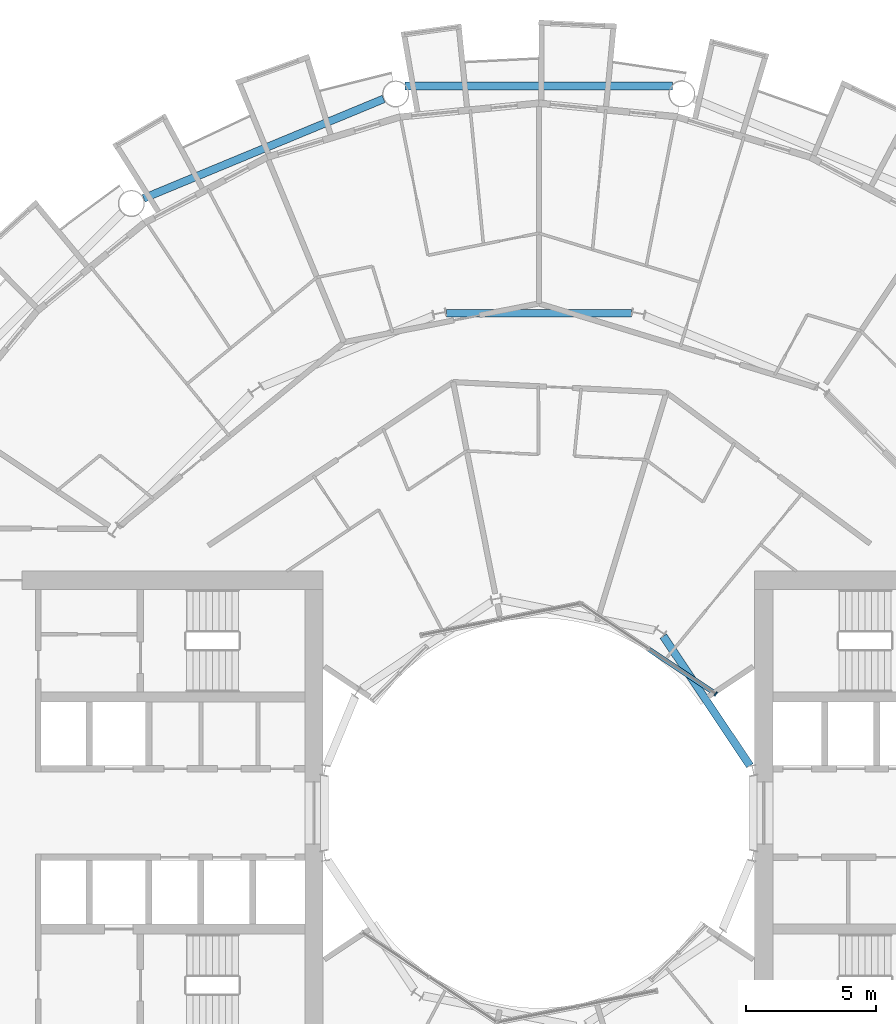
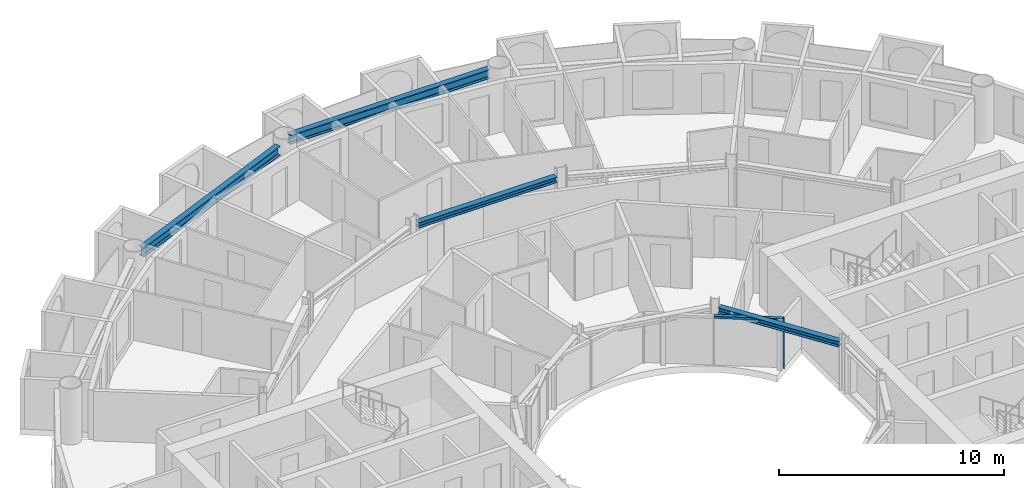
# One storey, part 8 of 26: 4 beams, 2 members, 1 element without a shape of its own.
"""IFC4 building model written with IfcOpenShell, lengths in metres."""

from ifc_helpers import new_model, si_unit, direction, frame, origin, origin_2d, place, context, subcontext, project, spatial, rectangle, i_section, extrude, material, layer, layer_set, material_profile, profile_set, type_object, element, aggregate, save


model = new_model("IFC4")

# Units and contexts
model_context = context("Model", 3, precision=1e-05, world=origin(), true_north=direction((0.0, 1.0)))
body_context = subcontext(model_context, "Body", "Model", "MODEL_VIEW")
ifc_project = project(units=[si_unit("LENGTHUNIT", "METRE"), si_unit("AREAUNIT", "SQUARE_METRE"), si_unit("VOLUMEUNIT", "CUBIC_METRE"), si_unit("PLANEANGLEUNIT", "RADIAN"), si_unit("MASSUNIT", "GRAM", prefix="KILO")], contexts=[model_context])

# Site, building, storey
site_placement = place(None, origin())
site = spatial("IfcSite", under=ifc_project, at=site_placement, CompositionType="ELEMENT")
building_placement = place(site_placement, origin())
building = spatial("IfcBuilding", under=site, at=building_placement, Name="Maasbend Ring Residences", CompositionType="ELEMENT")
storey_placement = place(building_placement, frame((0.0, 0.0, 88.0)))
storey = spatial("IfcBuildingStorey", under=building, at=storey_placement, Name="L25", CompositionType="ELEMENT", Elevation=88.0)

# Curtain wall, members
ifc_material_1 = material(Name="Aluminium and clear glass", Category="aluminium")
ifc_layer = layer(ifc_material_1, 0.179931640625)
ifc_layer_set = layer_set([ifc_layer], Name="CW-W")
curtain_wall_type = type_object("IfcCurtainWallType", Name="CW-W", PredefinedType="NOTDEFINED", material=ifc_layer_set)
curtain_wall_placement = place(storey_placement, origin())
curtain_wall = element("IfcCurtainWall", 1, at=curtain_wall_placement, inside=storey, type_object=curtain_wall_type, Name="Well curtain wall N1", PredefinedType="NOTDEFINED")
ifc_material_2 = material(Name="Aluminium 6063-T6", Category="aluminium")
ifc_material_profile_1 = material_profile(ifc_material_2, rectangle(XDim=0.179931640625, YDim=0.06005859375, at=origin_2d()), Name="AL 180x60")
ifc_profile_set_1 = profile_set([ifc_material_profile_1], Name="Aluminium 6063-T6")
member_type_1 = type_object("IfcMemberType", Name="CWM-W", PredefinedType="MULLION", material=ifc_profile_set_1)
member_1_placement = place(storey_placement, frame((6.805908203125, 4.580810546875, 0.0), z_axis=(0.0, 0.0, 1.0), x_axis=(-0.55557023302, -0.831469612303, 0.0)))
member_1 = element("IfcMember", 2, at=member_1_placement, type_object=member_type_1, Name="Mullion well face", PredefinedType="MULLION", context=body_context, shape_type="SweptSolid", body=[
    extrude(rectangle(XDim=0.179931640625, YDim=0.06005859375, at=origin_2d()), origin(), (0.0, 0.0, 1.0), 2.699951171875),
])
ifc_material_3 = material(Name="Aluminium 6063-T6", Category="aluminium")
ifc_material_profile_2 = material_profile(ifc_material_3, rectangle(XDim=0.179931640625, YDim=0.1201171875, at=origin_2d()), Name="AL 180x120")
ifc_profile_set_2 = profile_set([ifc_material_profile_2], Name="Aluminium 6063-T6")
member_type_2 = type_object("IfcMemberType", Name="CWT-W", PredefinedType="USERDEFINED", material=ifc_profile_set_2)
member_2_placement = place(storey_placement, frame((6.781005859375, 4.59765625, 2.639892578125), z_axis=(-0.831496422459, 0.555530106689, 0.0), x_axis=(-0.555530106689, -0.831496422459, 0.0)))
member_2 = element("IfcMember", 3, at=member_2_placement, type_object=member_type_2, Name="Transom well face", ObjectType="TRANSOM", PredefinedType="USERDEFINED", context=body_context, shape_type="SweptSolid", body=[
    extrude(rectangle(XDim=0.179931640625, YDim=0.1201171875, at=origin_2d()), origin(), (0.0, 0.0, 1.0), 3.053955078125),
])
aggregate(curtain_wall, [member_1, member_2])

# Beams
ifc_material_4 = material(Name="Steel S355J2", Category="steel")
ifc_material_profile_3 = material_profile(ifc_material_4, i_section(OverallWidth=0.300048828125, OverallDepth=0.300048828125, WebThickness=0.010986328125, FlangeThickness=0.01904296875, FilletRadius=0.027099609375, at=origin_2d()), Name="HEB 300")
ifc_profile_set_3 = profile_set([ifc_material_profile_3], Name="Steel S355J2")
beam_type_1 = type_object("IfcBeamType", Name="Corridor ring beam HEB 300", PredefinedType="BEAM", material=ifc_profile_set_3)
beam_1_placement = place(storey_placement, frame((3.556640625, 19.223388671875, 2.550048828125), z_axis=(-1.0, 0.0, 0.0), x_axis=(0.0, -1.0, 0.0)))
element("IfcBeam", 4, at=beam_1_placement, inside=storey, type_object=beam_type_1, Name="Corridor ring beam", PredefinedType="BEAM", context=body_context, shape_type="SweptSolid", body=[
    extrude(i_section(OverallWidth=0.300048828125, OverallDepth=0.300048828125, WebThickness=0.010986328125, FlangeThickness=0.01904296875, FilletRadius=0.027099609375, at=origin_2d()), origin(), (0.0, 0.0, 1.0), 7.11328125),
])
ifc_material_5 = material(Name="Steel S355J2", Category="steel")
ifc_material_profile_4 = material_profile(ifc_material_5, i_section(OverallWidth=0.300048828125, OverallDepth=0.5, WebThickness=0.014404296875, FlangeThickness=0.028076171875, FilletRadius=0.027099609375, at=origin_2d()), Name="HEB 500")
ifc_profile_set_4 = profile_set([ifc_material_profile_4], Name="Steel S355J2")
beam_type_2 = type_object("IfcBeamType", Name="Spandrel ring beam HEB 500", PredefinedType="SPANDREL", material=ifc_profile_set_4)
beam_2_placement = place(storey_placement, frame((5.1435546875, 27.9580078125, 2.449951171875), z_axis=(-1.0, 0.0, 0.0), x_axis=(0.0, -1.0, 0.0)))
element("IfcBeam", 5, at=beam_2_placement, inside=storey, type_object=beam_type_2, Name="Spandrel ring beam", PredefinedType="SPANDREL", context=body_context, shape_type="SweptSolid", body=[
    extrude(i_section(OverallWidth=0.300048828125, OverallDepth=0.5, WebThickness=0.014404296875, FlangeThickness=0.028076171875, FilletRadius=0.027099609375, at=origin_2d()), origin(), (0.0, 0.0, 1.0), 10.287109375),
])
beam_3_placement = place(storey_placement, frame((-5.970703125, 27.463623046875, 2.449951171875), z_axis=(-0.923886337442, -0.382667003395, 0.0), x_axis=(0.382667003395, -0.923886337442, 0.0)))
element("IfcBeam", 6, at=beam_3_placement, inside=storey, type_object=beam_type_2, Name="Spandrel ring beam", PredefinedType="SPANDREL", context=body_context, shape_type="SweptSolid", body=[
    extrude(i_section(OverallWidth=0.300048828125, OverallDepth=0.5, WebThickness=0.014404296875, FlangeThickness=0.028076171875, FilletRadius=0.027099609375, at=origin_2d()), origin(), (0.0, 0.0, 1.0), 9.9873046875),
])
ifc_material_6 = material(Name="Steel S355J2", Category="steel")
ifc_material_profile_5 = material_profile(ifc_material_6, i_section(OverallWidth=0.300048828125, OverallDepth=0.300048828125, WebThickness=0.010986328125, FlangeThickness=0.01904296875, FilletRadius=0.027099609375, at=origin_2d()), Name="HEB 300")
ifc_profile_set_5 = profile_set([ifc_material_profile_5], Name="Steel S355J2")
beam_type_3 = type_object("IfcBeamType", Name="Well edge beam HEB 300", PredefinedType="BEAM", material=ifc_profile_set_5)
beam_4_placement = place(storey_placement, frame((8.118408203125, 1.81884765625, 2.550048828125), z_axis=(-0.555592533493, 0.83145471117, 0.0), x_axis=(-0.83145471117, -0.555592533493, 0.0)))
element("IfcBeam", 7, at=beam_4_placement, inside=storey, type_object=beam_type_3, Name="Well edge beam", PredefinedType="BEAM", context=body_context, shape_type="SweptSolid", body=[
    extrude(i_section(OverallWidth=0.300048828125, OverallDepth=0.300048828125, WebThickness=0.010986328125, FlangeThickness=0.01904296875, FilletRadius=0.027099609375, at=origin_2d()), origin(), (0.0, 0.0, 1.0), 5.995849609375),
])

save(model, "model.ifc")
